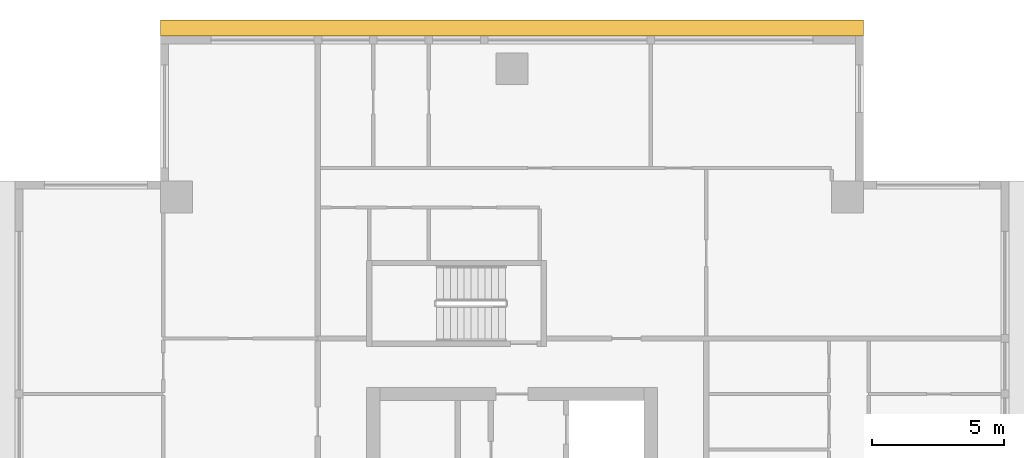
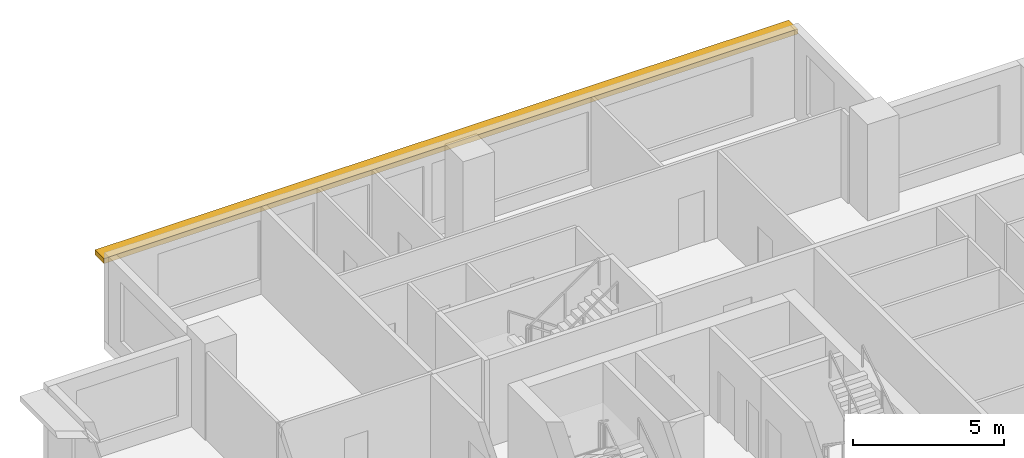
# One storey, part 8 of 8: 1 shading device.
"""IFC4 building model written with IfcOpenShell, lengths in metres."""

from ifc_helpers import new_model, si_unit, direction, frame, origin, place, context, subcontext, project, spatial, polyline, outline, extrude, material, layer, layer_set, type_object, element, save


model = new_model("IFC4")

# Units and contexts
model_context = context("Model", 3, precision=1e-05, world=origin(), true_north=direction((0.0, 1.0)))
body_context = subcontext(model_context, "Body", "Model", "MODEL_VIEW")
ifc_project = project(units=[si_unit("LENGTHUNIT", "METRE"), si_unit("AREAUNIT", "SQUARE_METRE"), si_unit("VOLUMEUNIT", "CUBIC_METRE"), si_unit("PLANEANGLEUNIT", "RADIAN"), si_unit("MASSUNIT", "GRAM", prefix="KILO")], contexts=[model_context])

# Site, building, storey
site_placement = place(None, origin())
site = spatial("IfcSite", under=ifc_project, at=site_placement, CompositionType="ELEMENT")
building_placement = place(site_placement, origin())
building = spatial("IfcBuilding", under=site, at=building_placement, Name="Khepri Terraces", CompositionType="ELEMENT")
storey_placement = place(building_placement, frame((0.0, 0.0, 304.5)))
storey = spatial("IfcBuildingStorey", under=building, at=storey_placement, Name="L73", CompositionType="ELEMENT", Elevation=304.5)

# Shading device
ifc_material = material(Name="Precast concrete C50/60 warm stone", Category="masonry")
ifc_layer = layer(ifc_material, 0.199951171875, Name="Precast concrete C50/60 warm stone", Category="masonry")
ifc_layer_set = layer_set([ifc_layer], Name="Precast concrete C50/60 warm stone")
shading_device_type = type_object("IfcShadingDeviceType", Name="SSH-BAND-STONE-200-N", PredefinedType="USERDEFINED", material=ifc_layer_set)
shading_device_placement = place(storey_placement, frame((0.0, 0.0, 3.10009765625)))
element("IfcShadingDevice", 1, at=shading_device_placement, inside=storey, type_object=shading_device_type, Name="Sunshade band L73 N", ObjectType="SUNSHADE", PredefinedType="USERDEFINED", context=body_context, shape_type="SweptSolid", body=[
    extrude(outline(polyline([(-13.300048828125, 18.800048828125), (13.300048828125, 18.800048828125), (13.300048828125, 19.39990234375), (-13.300048828125, 19.39990234375), (-13.300048828125, 18.800048828125)])), origin(), (0.0, 0.0, 1.0), 0.199951171875),
])

save(model, "model.ifc")
